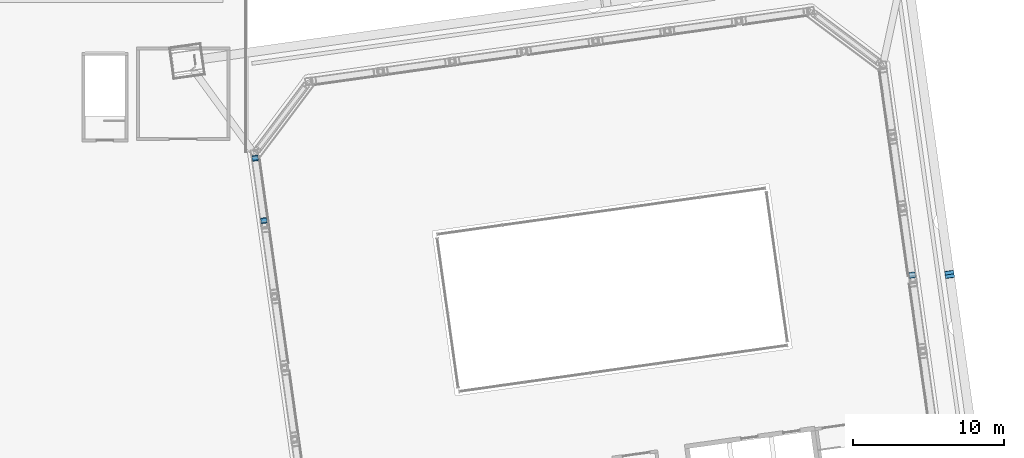
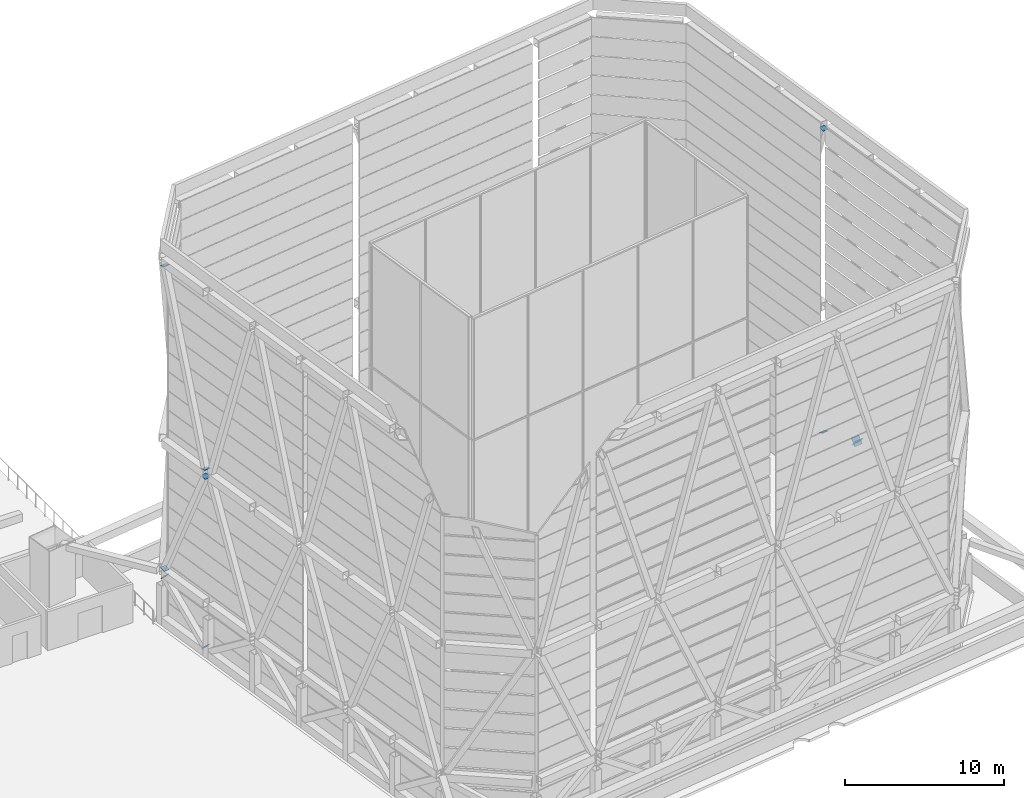
# One storey, part 39 of 45: 10 discrete accessories.
"""IFC4 building model written with IfcOpenShell, lengths in metres."""

from ifc_helpers import new_model, si_unit, direction, frame, origin, origin_2d, place, context, subcontext, project, spatial, rectangle, extrude, material, material_profile, profile_set, type_object, element, save


model = new_model("IFC4")

# Units and contexts
model_context = context("Model", 3, precision=1e-05, world=origin(), true_north=direction((0.0, 1.0)))
body_context = subcontext(model_context, "Body", "Model", "MODEL_VIEW")
ifc_project = project(units=[si_unit("LENGTHUNIT", "METRE"), si_unit("AREAUNIT", "SQUARE_METRE"), si_unit("VOLUMEUNIT", "CUBIC_METRE"), si_unit("PLANEANGLEUNIT", "RADIAN"), si_unit("MASSUNIT", "GRAM", prefix="KILO")], contexts=[model_context])

# Site, building, storey
site_placement = place(None, origin())
site = spatial("IfcSite", under=ifc_project, at=site_placement, CompositionType="ELEMENT")
building_placement = place(site_placement, origin())
building = spatial("IfcBuilding", under=site, at=building_placement, Name="Mirante Cascada Hotel Towers", CompositionType="ELEMENT")
storey_placement = place(building_placement, frame((0.0, 0.0, 269.8)))
storey = spatial("IfcBuildingStorey", under=building, at=storey_placement, Name="Roof garden", CompositionType="ELEMENT", Elevation=269.8)

# Discrete accessories
ifc_material_1 = material(Name="Steel ASTM A572 Gr 50", Category="steel")
ifc_material_profile_1 = material_profile(ifc_material_1, rectangle(XDim=0.4, YDim=0.4, at=origin_2d()), Name="Connection plate 400x400x25 ASTM A572 Gr 50")
ifc_profile_set_1 = profile_set([ifc_material_profile_1], Name="Steel ASTM A572 Gr 50")
discrete_accessory_type_1 = type_object("IfcDiscreteAccessoryType", Name="Connection plate 400x400x25 ASTM A572 Gr 50", PredefinedType="BRACKET", material=ifc_profile_set_1)
for number, where, z_axis, x_axis, name in (
    (1, (13.3466, 5.5885, 0.5925), (-0.1116566, 0.7935596, 0.5981605), (-0.9902459, -0.1393311, 0.0), "Connection plate HT-D"),
    (2, (12.7661, 9.7191, 3.6925), (-0.1116566, 0.7935596, 0.5981605), (-0.9902459, -0.1393311, 0.0), "Connection plate HT-D"),
):
    element("IfcDiscreteAccessory", number, at=place(storey_placement, frame(where, z_axis=z_axis, x_axis=x_axis)), inside=storey, type_object=discrete_accessory_type_1, Name=name, PredefinedType="BRACKET", context=body_context, shape_type="SweptSolid", body=[
        extrude(rectangle(XDim=0.4, YDim=0.4, at=origin_2d()), origin(), (0.0, 0.0, 1.0), 0.0251),
    ])
for number, where, z_axis, x_axis, name in (
    (3, (12.764, 9.7341, 4.2886), (0.0560534, -0.4043852, 0.9128695), (0.9905294, 0.1373011, 0.0), "Connection plate CF-B"),
    (4, (13.3445, 5.6035, 13.6886), (0.0560534, -0.4043852, 0.9128695), (0.9905294, 0.1373011, 0.0), "Connection plate CF-B"),
):
    element("IfcDiscreteAccessory", number, at=place(storey_placement, frame(where, z_axis=z_axis, x_axis=x_axis)), inside=storey, type_object=discrete_accessory_type_1, Name=name, PredefinedType="BRACKET", context=body_context, shape_type="SweptSolid", body=[
        extrude(rectangle(XDim=0.4, YDim=0.4, at=origin_2d()), origin(), (0.0, 0.0, 1.0), 0.025),
    ])
for number, where, z_axis, x_axis, name in (
    (5, (56.2506, 1.9871, 4.2886), (-0.0561439, 0.4010279, 0.9143437), (-0.9903417, -0.1386478, 0.0), "Connection plate CF-B"),
    (6, (13.3457, 5.5948, 14.2881), (-0.0401373, 0.2930026, 0.9552688), (-0.9907474, -0.1357188, 0.0), "Connection plate CF-B"),
    (7, (12.7652, 9.7254, 27.6381), (-0.0400899, 0.2966653, 0.9541397), (-0.9909924, -0.1339179, 0.0), "Connection plate CF-B"),
    (8, (56.2493, 1.9958, 27.6381), (0.0440915, -0.2966152, 0.9539787), (0.9891316, 0.1470331, 0.0), "Connection plate CF-B"),
):
    element("IfcDiscreteAccessory", number, at=place(storey_placement, frame(where, z_axis=z_axis, x_axis=x_axis)), inside=storey, type_object=discrete_accessory_type_1, Name=name, PredefinedType="BRACKET", context=body_context, shape_type="SweptSolid", body=[
        extrude(rectangle(XDim=0.4, YDim=0.4, at=origin_2d()), origin(), (0.0, 0.0, 1.0), 0.0249),
    ])
ifc_material_2 = material(Name="Steel ASTM A572 Gr 50", Category="steel")
ifc_material_profile_2 = material_profile(ifc_material_2, rectangle(XDim=0.6, YDim=0.6, at=origin_2d()), Name="Connection plate 600x600x25 ASTM A572 Gr 50")
ifc_profile_set_2 = profile_set([ifc_material_profile_2], Name="Steel ASTM A572 Gr 50")
discrete_accessory_type_2 = type_object("IfcDiscreteAccessoryType", Name="Connection plate 600x600x25 ASTM A572 Gr 50", PredefinedType="BRACKET", material=ifc_profile_set_2)
for number, where, z_axis, x_axis, name in (
    (9, (58.7261, 1.9768, 2.6573), (-0.1078268, 0.7747552, 0.622999), (-0.9904536, -0.1378466, 0.0), "Connection plate MB-OL61L"),
    (10, (58.7095, 2.0952, 2.6573), (0.1078268, -0.7747552, 0.622999), (0.9904536, 0.1378466, 0.0), "Connection plate MB-OL61R"),
):
    element("IfcDiscreteAccessory", number, at=place(storey_placement, frame(where, z_axis=z_axis, x_axis=x_axis)), inside=storey, type_object=discrete_accessory_type_2, Name=name, PredefinedType="BRACKET", context=body_context, shape_type="SweptSolid", body=[
        extrude(rectangle(XDim=0.6, YDim=0.6, at=origin_2d()), origin(), (0.0, 0.0, 1.0), 0.025),
    ])

save(model, "model.ifc")
